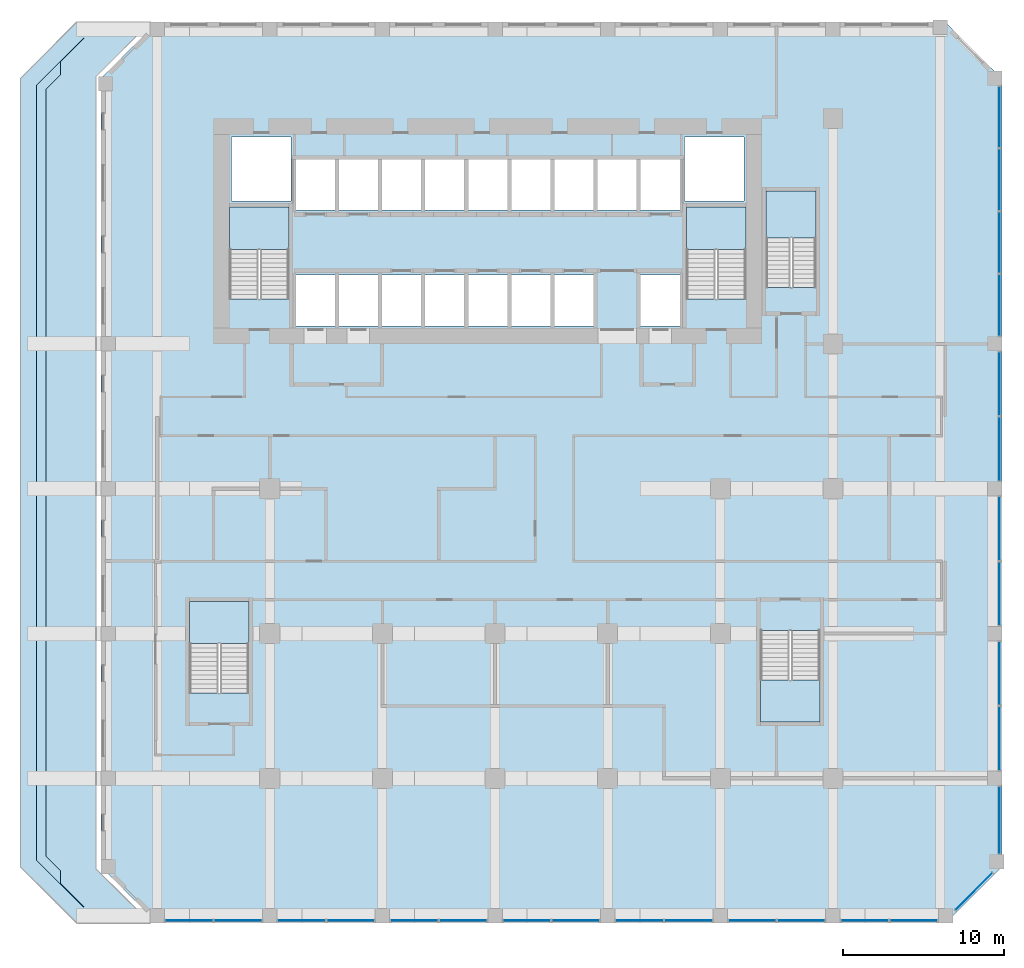
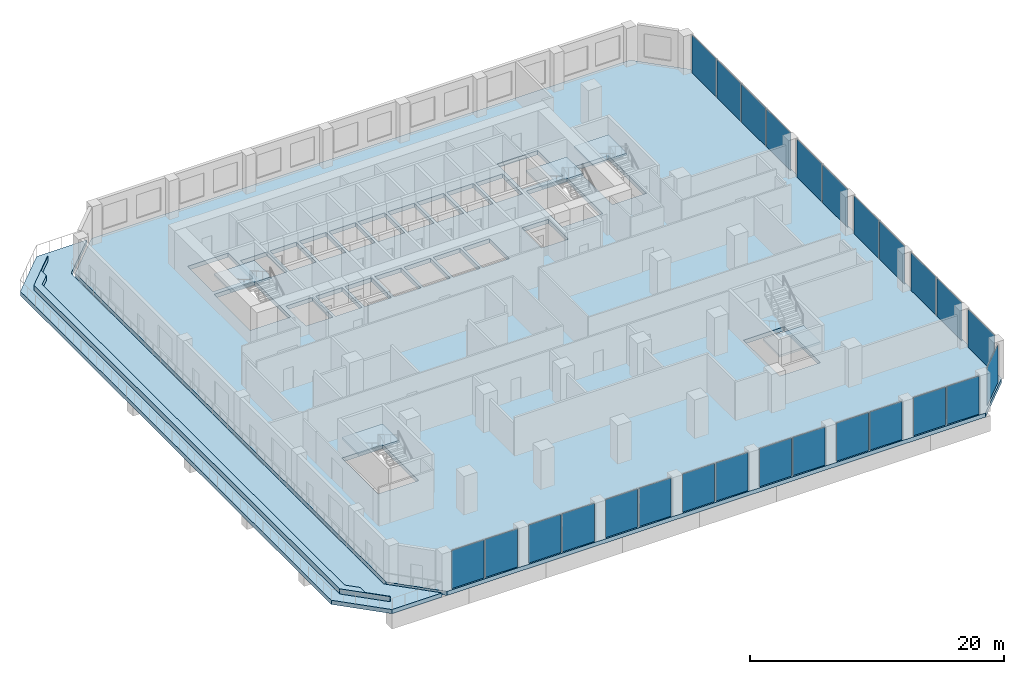
# One storey, part 11 of 20: 26 plates, 8 slabs, 31 elements without a shape of their own.
"""IFC4 building model written with IfcOpenShell, lengths in metres."""

from ifc_helpers import new_model, si_unit, direction, frame, origin, origin_2d, place, context, subcontext, project, spatial, polyline, rectangle, outline, extrude, source, transform, mapped, material, layer, layer_set, type_object, element, aggregate, save


model = new_model("IFC4")

# Units and contexts
model_context = context("Model", 3, precision=1e-05, world=origin(), true_north=direction((0.0, 1.0)))
body_context = subcontext(model_context, "Body", "Model", "MODEL_VIEW")
ifc_project = project(units=[si_unit("LENGTHUNIT", "METRE"), si_unit("AREAUNIT", "SQUARE_METRE"), si_unit("VOLUMEUNIT", "CUBIC_METRE"), si_unit("PLANEANGLEUNIT", "RADIAN"), si_unit("MASSUNIT", "GRAM", prefix="KILO")], contexts=[model_context])

# Site, building, storey
site_placement = place(None, origin())
site = spatial("IfcSite", under=ifc_project, at=site_placement, CompositionType="ELEMENT")
building_placement = place(site_placement, origin())
building = spatial("IfcBuilding", under=site, at=building_placement, Name="Kilnfold Tower and Market Hall", CompositionType="ELEMENT")
storey_placement = place(building_placement, frame((0.0, 0.0, 63.199951171875)))
storey = spatial("IfcBuildingStorey", under=building, at=storey_placement, Name="L14", CompositionType="ELEMENT", Elevation=63.199951171875)

# Slab
ifc_material_1 = material(Name="Concrete C45", Category="concrete")
ifc_layer_1 = layer(ifc_material_1, 0.39990234375)
ifc_layer_set_1 = layer_set([ifc_layer_1], Name="Concrete C45")
slab_type_1 = type_object("IfcSlabType", Name="FLOOR SLAB 400", PredefinedType="FLOOR", material=ifc_layer_set_1)
shared_shape_1 = source(origin(), body_context, "Body", "SweptSolid", [
    extrude(outline(polyline([(-19.5, -28.0), (29.5, -28.0), (33.0, -24.5), (33.0, 24.5), (29.5, 28.0), (-19.5, 28.0), (-23.0, 24.5), (-23.0, -24.5), (-19.5, -28.0)]), holes=[polyline([(-13.800537109375, -13.699462890625), (-17.49951171875, -13.699462890625), (-17.49951171875, -8.00048828125), (-13.800537109375, -8.00048828125), (-13.800537109375, -13.699462890625)]), polyline([(-14.99951171875, 10.800537109375), (-14.99951171875, 16.49951171875), (-11.300537109375, 16.49951171875), (-11.300537109375, 10.800537109375), (-14.99951171875, 10.800537109375)]), polyline([(-14.875, 16.875), (-14.875, 20.875), (-11.175048828125, 20.875), (-11.175048828125, 16.875), (-14.875, 16.875)]), polyline([(-10.885009765625, 9.125), (-10.885009765625, 12.27490234375), (-8.455078125, 12.27490234375), (-8.455078125, 9.125), (-10.885009765625, 9.125)]), polyline([(-8.455078125, 16.324951171875), (-10.885009765625, 16.324951171875), (-10.885009765625, 19.47509765625), (-8.455078125, 19.47509765625), (-8.455078125, 16.324951171875)]), polyline([(-8.205078125, 9.125), (-8.205078125, 12.27490234375), (-5.77490234375, 12.27490234375), (-5.77490234375, 9.125), (-8.205078125, 9.125)]), polyline([(-8.205078125, 16.324951171875), (-8.205078125, 19.47509765625), (-5.77490234375, 19.47509765625), (-5.77490234375, 16.324951171875), (-8.205078125, 16.324951171875)]), polyline([(-3.094970703125, 9.125), (-5.52490234375, 9.125), (-5.52490234375, 12.27490234375), (-3.094970703125, 12.27490234375), (-3.094970703125, 9.125)]), polyline([(-5.52490234375, 16.324951171875), (-5.52490234375, 19.47509765625), (-3.094970703125, 19.47509765625), (-3.094970703125, 16.324951171875), (-5.52490234375, 16.324951171875)]), polyline([(-2.844970703125, 9.125), (-2.844970703125, 12.27490234375), (-0.4150390625, 12.27490234375), (-0.4150390625, 9.125), (-2.844970703125, 9.125)]), polyline([(-0.4150390625, 16.324951171875), (-2.844970703125, 16.324951171875), (-2.844970703125, 19.47509765625), (-0.4150390625, 19.47509765625), (-0.4150390625, 16.324951171875)]), polyline([(-0.1650390625, 9.125), (-0.1650390625, 12.27490234375), (2.264892578125, 12.27490234375), (2.264892578125, 9.125), (-0.1650390625, 9.125)]), polyline([(-0.1650390625, 16.324951171875), (-0.1650390625, 19.47509765625), (2.264892578125, 19.47509765625), (2.264892578125, 16.324951171875), (-0.1650390625, 16.324951171875)]), polyline([(2.514892578125, 9.125), (2.514892578125, 12.27490234375), (4.945068359375, 12.27490234375), (4.945068359375, 9.125), (2.514892578125, 9.125)]), polyline([(2.514892578125, 16.324951171875), (2.514892578125, 19.47509765625), (4.945068359375, 19.47509765625), (4.945068359375, 16.324951171875), (2.514892578125, 16.324951171875)]), polyline([(7.625, 9.125), (5.195068359375, 9.125), (5.195068359375, 12.27490234375), (7.625, 12.27490234375), (7.625, 9.125)]), polyline([(5.195068359375, 16.324951171875), (5.195068359375, 19.47509765625), (7.625, 19.47509765625), (7.625, 16.324951171875), (5.195068359375, 16.324951171875)]), polyline([(10.304931640625, 16.324951171875), (7.875, 16.324951171875), (7.875, 19.47509765625), (10.304931640625, 19.47509765625), (10.304931640625, 16.324951171875)]), polyline([(10.554931640625, 9.125), (10.554931640625, 12.27490234375), (12.985107421875, 12.27490234375), (12.985107421875, 9.125), (10.554931640625, 9.125)]), polyline([(10.554931640625, 16.324951171875), (10.554931640625, 19.47509765625), (12.985107421875, 19.47509765625), (12.985107421875, 16.324951171875), (10.554931640625, 16.324951171875)]), polyline([(13.27490234375, 16.875), (13.27490234375, 20.875), (16.97509765625, 20.875), (16.97509765625, 16.875), (13.27490234375, 16.875)]), polyline([(13.400390625, 10.800537109375), (13.400390625, 16.49951171875), (17.099609375, 16.49951171875), (17.099609375, 10.800537109375), (13.400390625, 10.800537109375)]), polyline([(18.00048828125, -9.800537109375), (21.699462890625, -9.800537109375), (21.699462890625, -15.49951171875), (18.00048828125, -15.49951171875), (18.00048828125, -9.800537109375)]), polyline([(21.449462890625, 11.50048828125), (18.3505859375, 11.50048828125), (18.3505859375, 17.49951171875), (21.449462890625, 17.49951171875), (21.449462890625, 11.50048828125)])]), origin(), (0.0, 0.0, 1.0), 0.400146484375),
])
slab_1_placement = place(storey_placement, frame((0.0, 0.0, -0.400146484375)))
element("IfcSlab", 1, at=slab_1_placement, inside=storey, type_object=slab_type_1, Name="Floor slab L14", PredefinedType="FLOOR", context=body_context, shape_type="MappedRepresentation", body=[
    mapped(shared_shape_1, transform((0.0, 0.0, 0.0))),
])

# Curtain wall, plate
ifc_material_2 = material(Name="Aluminium and double glazing", Category="aluminium")
curtain_wall_type = type_object("IfcCurtainWallType", Name="CW OF1 VALLEY GLAZING", PredefinedType="NOTDEFINED", material=ifc_material_2)
curtain_wall_1_placement = place(storey_placement, origin())
curtain_wall_1 = element("IfcCurtainWall", 2, at=curtain_wall_1_placement, inside=storey, type_object=curtain_wall_type, Name="Curtain wall CW1 L14 S", PredefinedType="NOTDEFINED")
ifc_material_3 = material(Name="Double glazed unit")
ifc_layer_2 = layer(ifc_material_3, 0.031982421875)
ifc_layer_set_2 = layer_set([ifc_layer_2], Name="Double glazed unit")
plate_type = type_object("IfcPlateType", Name="GLAZING PANEL 32", PredefinedType="CURTAIN_PANEL", material=ifc_layer_set_2)
shared_shape_2 = source(origin(), body_context, "Body", "SweptSolid", [
    extrude(rectangle(XDim=2.929931640625, YDim=0.031982421875, at=origin_2d()), origin(), (0.0, 0.0, 1.0), 3.659912109375),
])
plate_1_placement = place(storey_placement, frame((-17.52490234375, -27.85009765625, 0.0), z_axis=(0.0, 0.0, 1.0), x_axis=(1.0, 0.0, 0.0)))
plate_1 = element("IfcPlate", 3, at=plate_1_placement, type_object=plate_type, Name="CW1 panel 1.1", PredefinedType="CURTAIN_PANEL", context=body_context, shape_type="MappedRepresentation", body=[
    mapped(shared_shape_2, transform((0.0, 0.0, 0.0))),
])
aggregate(curtain_wall_1, [plate_1])

curtain_wall_2_placement = place(storey_placement, origin())
curtain_wall_2 = element("IfcCurtainWall", 4, at=curtain_wall_2_placement, inside=storey, type_object=curtain_wall_type, Name="Curtain wall CW1 L14 S", PredefinedType="NOTDEFINED")
plate_2_placement = place(storey_placement, frame((-14.47509765625, -27.85009765625, 0.0), z_axis=(0.0, 0.0, 1.0), x_axis=(1.0, 0.0, 0.0)))
plate_2 = element("IfcPlate", 5, at=plate_2_placement, type_object=plate_type, Name="CW1 panel 1.1", PredefinedType="CURTAIN_PANEL", context=body_context, shape_type="MappedRepresentation", body=[
    mapped(shared_shape_2, transform((0.0, 0.0, 0.0))),
])
aggregate(curtain_wall_2, [plate_2])

curtain_wall_3_placement = place(storey_placement, origin())
curtain_wall_3 = element("IfcCurtainWall", 6, at=curtain_wall_3_placement, inside=storey, type_object=curtain_wall_type, Name="Curtain wall CW1 L14 S", PredefinedType="NOTDEFINED")
plate_3_placement = place(storey_placement, frame((-10.52490234375, -27.85009765625, 0.0), z_axis=(0.0, 0.0, 1.0), x_axis=(1.0, 0.0, 0.0)))
plate_3 = element("IfcPlate", 7, at=plate_3_placement, type_object=plate_type, Name="CW1 panel 1.1", PredefinedType="CURTAIN_PANEL", context=body_context, shape_type="MappedRepresentation", body=[
    mapped(shared_shape_2, transform((0.0, 0.0, 0.0))),
])
aggregate(curtain_wall_3, [plate_3])

curtain_wall_4_placement = place(storey_placement, origin())
curtain_wall_4 = element("IfcCurtainWall", 8, at=curtain_wall_4_placement, inside=storey, type_object=curtain_wall_type, Name="Curtain wall CW1 L14 S", PredefinedType="NOTDEFINED")
plate_4_placement = place(storey_placement, frame((-7.47509765625, -27.85009765625, 0.0), z_axis=(0.0, 0.0, 1.0), x_axis=(1.0, 0.0, 0.0)))
plate_4 = element("IfcPlate", 9, at=plate_4_placement, type_object=plate_type, Name="CW1 panel 1.1", PredefinedType="CURTAIN_PANEL", context=body_context, shape_type="MappedRepresentation", body=[
    mapped(shared_shape_2, transform((0.0, 0.0, 0.0))),
])
aggregate(curtain_wall_4, [plate_4])

curtain_wall_5_placement = place(storey_placement, origin())
curtain_wall_5 = element("IfcCurtainWall", 10, at=curtain_wall_5_placement, inside=storey, type_object=curtain_wall_type, Name="Curtain wall CW1 L14 S", PredefinedType="NOTDEFINED")
plate_5_placement = place(storey_placement, frame((-3.52490234375, -27.85009765625, 0.0), z_axis=(0.0, 0.0, 1.0), x_axis=(1.0, 0.0, 0.0)))
plate_5 = element("IfcPlate", 11, at=plate_5_placement, type_object=plate_type, Name="CW1 panel 1.1", PredefinedType="CURTAIN_PANEL", context=body_context, shape_type="MappedRepresentation", body=[
    mapped(shared_shape_2, transform((0.0, 0.0, 0.0))),
])
aggregate(curtain_wall_5, [plate_5])

curtain_wall_6_placement = place(storey_placement, origin())
curtain_wall_6 = element("IfcCurtainWall", 12, at=curtain_wall_6_placement, inside=storey, type_object=curtain_wall_type, Name="Curtain wall CW1 L14 S", PredefinedType="NOTDEFINED")
plate_6_placement = place(storey_placement, frame((-0.47509765625, -27.85009765625, 0.0), z_axis=(0.0, 0.0, 1.0), x_axis=(1.0, 0.0, 0.0)))
plate_6 = element("IfcPlate", 13, at=plate_6_placement, type_object=plate_type, Name="CW1 panel 1.1", PredefinedType="CURTAIN_PANEL", context=body_context, shape_type="MappedRepresentation", body=[
    mapped(shared_shape_2, transform((0.0, 0.0, 0.0))),
])
aggregate(curtain_wall_6, [plate_6])

curtain_wall_7_placement = place(storey_placement, origin())
curtain_wall_7 = element("IfcCurtainWall", 14, at=curtain_wall_7_placement, inside=storey, type_object=curtain_wall_type, Name="Curtain wall CW1 L14 S", PredefinedType="NOTDEFINED")
plate_7_placement = place(storey_placement, frame((3.47509765625, -27.85009765625, 0.0), z_axis=(0.0, 0.0, 1.0), x_axis=(1.0, 0.0, 0.0)))
plate_7 = element("IfcPlate", 15, at=plate_7_placement, type_object=plate_type, Name="CW1 panel 1.1", PredefinedType="CURTAIN_PANEL", context=body_context, shape_type="MappedRepresentation", body=[
    mapped(shared_shape_2, transform((0.0, 0.0, 0.0))),
])
aggregate(curtain_wall_7, [plate_7])

curtain_wall_8_placement = place(storey_placement, origin())
curtain_wall_8 = element("IfcCurtainWall", 16, at=curtain_wall_8_placement, inside=storey, type_object=curtain_wall_type, Name="Curtain wall CW1 L14 S", PredefinedType="NOTDEFINED")
plate_8_placement = place(storey_placement, frame((6.52490234375, -27.85009765625, 0.0), z_axis=(0.0, 0.0, 1.0), x_axis=(1.0, 0.0, 0.0)))
plate_8 = element("IfcPlate", 17, at=plate_8_placement, type_object=plate_type, Name="CW1 panel 1.1", PredefinedType="CURTAIN_PANEL", context=body_context, shape_type="MappedRepresentation", body=[
    mapped(shared_shape_2, transform((0.0, 0.0, 0.0))),
])
aggregate(curtain_wall_8, [plate_8])

curtain_wall_9_placement = place(storey_placement, origin())
curtain_wall_9 = element("IfcCurtainWall", 18, at=curtain_wall_9_placement, inside=storey, type_object=curtain_wall_type, Name="Curtain wall CW1 L14 S", PredefinedType="NOTDEFINED")
plate_9_placement = place(storey_placement, frame((10.47509765625, -27.85009765625, 0.0), z_axis=(0.0, 0.0, 1.0), x_axis=(1.0, 0.0, 0.0)))
plate_9 = element("IfcPlate", 19, at=plate_9_placement, type_object=plate_type, Name="CW1 panel 1.1", PredefinedType="CURTAIN_PANEL", context=body_context, shape_type="MappedRepresentation", body=[
    mapped(shared_shape_2, transform((0.0, 0.0, 0.0))),
])
aggregate(curtain_wall_9, [plate_9])

curtain_wall_10_placement = place(storey_placement, origin())
curtain_wall_10 = element("IfcCurtainWall", 20, at=curtain_wall_10_placement, inside=storey, type_object=curtain_wall_type, Name="Curtain wall CW1 L14 S", PredefinedType="NOTDEFINED")
plate_10_placement = place(storey_placement, frame((13.52490234375, -27.85009765625, 0.0), z_axis=(0.0, 0.0, 1.0), x_axis=(1.0, 0.0, 0.0)))
plate_10 = element("IfcPlate", 21, at=plate_10_placement, type_object=plate_type, Name="CW1 panel 1.1", PredefinedType="CURTAIN_PANEL", context=body_context, shape_type="MappedRepresentation", body=[
    mapped(shared_shape_2, transform((0.0, 0.0, 0.0))),
])
aggregate(curtain_wall_10, [plate_10])

curtain_wall_11_placement = place(storey_placement, origin())
curtain_wall_11 = element("IfcCurtainWall", 22, at=curtain_wall_11_placement, inside=storey, type_object=curtain_wall_type, Name="Curtain wall CW1 L14 S", PredefinedType="NOTDEFINED")
plate_11_placement = place(storey_placement, frame((17.47509765625, -27.85009765625, 0.0), z_axis=(0.0, 0.0, 1.0), x_axis=(1.0, 0.0, 0.0)))
plate_11 = element("IfcPlate", 23, at=plate_11_placement, type_object=plate_type, Name="CW1 panel 1.1", PredefinedType="CURTAIN_PANEL", context=body_context, shape_type="MappedRepresentation", body=[
    mapped(shared_shape_2, transform((0.0, 0.0, 0.0))),
])
aggregate(curtain_wall_11, [plate_11])

curtain_wall_12_placement = place(storey_placement, origin())
curtain_wall_12 = element("IfcCurtainWall", 24, at=curtain_wall_12_placement, inside=storey, type_object=curtain_wall_type, Name="Curtain wall CW1 L14 S", PredefinedType="NOTDEFINED")
plate_12_placement = place(storey_placement, frame((20.52490234375, -27.85009765625, 0.0), z_axis=(0.0, 0.0, 1.0), x_axis=(1.0, 0.0, 0.0)))
plate_12 = element("IfcPlate", 25, at=plate_12_placement, type_object=plate_type, Name="CW1 panel 1.1", PredefinedType="CURTAIN_PANEL", context=body_context, shape_type="MappedRepresentation", body=[
    mapped(shared_shape_2, transform((0.0, 0.0, 0.0))),
])
aggregate(curtain_wall_12, [plate_12])

curtain_wall_13_placement = place(storey_placement, origin())
curtain_wall_13 = element("IfcCurtainWall", 26, at=curtain_wall_13_placement, inside=storey, type_object=curtain_wall_type, Name="Curtain wall CW1 L14 S", PredefinedType="NOTDEFINED")
plate_13_placement = place(storey_placement, frame((24.47509765625, -27.85009765625, 0.0), z_axis=(0.0, 0.0, 1.0), x_axis=(1.0, 0.0, 0.0)))
plate_13 = element("IfcPlate", 27, at=plate_13_placement, type_object=plate_type, Name="CW1 panel 1.1", PredefinedType="CURTAIN_PANEL", context=body_context, shape_type="MappedRepresentation", body=[
    mapped(shared_shape_2, transform((0.0, 0.0, 0.0))),
])
aggregate(curtain_wall_13, [plate_13])

curtain_wall_14_placement = place(storey_placement, origin())
curtain_wall_14 = element("IfcCurtainWall", 28, at=curtain_wall_14_placement, inside=storey, type_object=curtain_wall_type, Name="Curtain wall CW1 L14 S", PredefinedType="NOTDEFINED")
plate_14_placement = place(storey_placement, frame((27.52490234375, -27.85009765625, 0.0), z_axis=(0.0, 0.0, 1.0), x_axis=(1.0, 0.0, 0.0)))
plate_14 = element("IfcPlate", 29, at=plate_14_placement, type_object=plate_type, Name="CW1 panel 1.1", PredefinedType="CURTAIN_PANEL", context=body_context, shape_type="MappedRepresentation", body=[
    mapped(shared_shape_2, transform((0.0, 0.0, 0.0))),
])
aggregate(curtain_wall_14, [plate_14])

curtain_wall_15_placement = place(storey_placement, origin())
curtain_wall_15 = element("IfcCurtainWall", 30, at=curtain_wall_15_placement, inside=storey, type_object=curtain_wall_type, Name="Curtain wall CW1 L14 E", PredefinedType="NOTDEFINED")
shared_shape_3 = source(origin(), body_context, "Body", "SweptSolid", [
    extrude(rectangle(XDim=3.929931640625, YDim=0.031982421875, at=origin_2d()), origin(), (0.0, 0.0, 1.0), 3.659912109375),
])
plate_15_placement = place(storey_placement, frame((32.85009765625, -16.52490234375, 0.0), z_axis=(0.0, 0.0, 1.0), x_axis=(0.0, 1.0, 0.0)))
plate_15 = element("IfcPlate", 31, at=plate_15_placement, type_object=plate_type, Name="CW1 panel 1.1", PredefinedType="CURTAIN_PANEL", context=body_context, shape_type="MappedRepresentation", body=[
    mapped(shared_shape_3, transform((0.0, 0.0, 0.0))),
])
aggregate(curtain_wall_15, [plate_15])

curtain_wall_16_placement = place(storey_placement, origin())
curtain_wall_16 = element("IfcCurtainWall", 32, at=curtain_wall_16_placement, inside=storey, type_object=curtain_wall_type, Name="Curtain wall CW1 L14 E", PredefinedType="NOTDEFINED")
plate_16_placement = place(storey_placement, frame((32.85009765625, -12.47509765625, 0.0), z_axis=(0.0, 0.0, 1.0), x_axis=(0.0, 1.0, 0.0)))
plate_16 = element("IfcPlate", 33, at=plate_16_placement, type_object=plate_type, Name="CW1 panel 1.1", PredefinedType="CURTAIN_PANEL", context=body_context, shape_type="MappedRepresentation", body=[
    mapped(shared_shape_3, transform((0.0, 0.0, 0.0))),
])
aggregate(curtain_wall_16, [plate_16])

curtain_wall_17_placement = place(storey_placement, origin())
curtain_wall_17 = element("IfcCurtainWall", 34, at=curtain_wall_17_placement, inside=storey, type_object=curtain_wall_type, Name="Curtain wall CW1 L14 E", PredefinedType="NOTDEFINED")
plate_17_placement = place(storey_placement, frame((32.85009765625, -7.52490234375, 0.0), z_axis=(0.0, 0.0, 1.0), x_axis=(0.0, 1.0, 0.0)))
plate_17 = element("IfcPlate", 35, at=plate_17_placement, type_object=plate_type, Name="CW1 panel 1.1", PredefinedType="CURTAIN_PANEL", context=body_context, shape_type="MappedRepresentation", body=[
    mapped(shared_shape_3, transform((0.0, 0.0, 0.0))),
])
aggregate(curtain_wall_17, [plate_17])

curtain_wall_18_placement = place(storey_placement, origin())
curtain_wall_18 = element("IfcCurtainWall", 36, at=curtain_wall_18_placement, inside=storey, type_object=curtain_wall_type, Name="Curtain wall CW1 L14 E", PredefinedType="NOTDEFINED")
plate_18_placement = place(storey_placement, frame((32.85009765625, -3.47509765625, 0.0), z_axis=(0.0, 0.0, 1.0), x_axis=(0.0, 1.0, 0.0)))
plate_18 = element("IfcPlate", 37, at=plate_18_placement, type_object=plate_type, Name="CW1 panel 1.1", PredefinedType="CURTAIN_PANEL", context=body_context, shape_type="MappedRepresentation", body=[
    mapped(shared_shape_3, transform((0.0, 0.0, 0.0))),
])
aggregate(curtain_wall_18, [plate_18])

curtain_wall_19_placement = place(storey_placement, origin())
curtain_wall_19 = element("IfcCurtainWall", 38, at=curtain_wall_19_placement, inside=storey, type_object=curtain_wall_type, Name="Curtain wall CW1 L14 E", PredefinedType="NOTDEFINED")
plate_19_placement = place(storey_placement, frame((32.85009765625, 1.47509765625, 0.0), z_axis=(0.0, 0.0, 1.0), x_axis=(0.0, 1.0, 0.0)))
plate_19 = element("IfcPlate", 39, at=plate_19_placement, type_object=plate_type, Name="CW1 panel 1.1", PredefinedType="CURTAIN_PANEL", context=body_context, shape_type="MappedRepresentation", body=[
    mapped(shared_shape_3, transform((0.0, 0.0, 0.0))),
])
aggregate(curtain_wall_19, [plate_19])

curtain_wall_20_placement = place(storey_placement, origin())
curtain_wall_20 = element("IfcCurtainWall", 40, at=curtain_wall_20_placement, inside=storey, type_object=curtain_wall_type, Name="Curtain wall CW1 L14 E", PredefinedType="NOTDEFINED")
plate_20_placement = place(storey_placement, frame((32.85009765625, 5.52490234375, 0.0), z_axis=(0.0, 0.0, 1.0), x_axis=(0.0, 1.0, 0.0)))
plate_20 = element("IfcPlate", 41, at=plate_20_placement, type_object=plate_type, Name="CW1 panel 1.1", PredefinedType="CURTAIN_PANEL", context=body_context, shape_type="MappedRepresentation", body=[
    mapped(shared_shape_3, transform((0.0, 0.0, 0.0))),
])
aggregate(curtain_wall_20, [plate_20])

curtain_wall_21_placement = place(storey_placement, origin())
curtain_wall_21 = element("IfcCurtainWall", 42, at=curtain_wall_21_placement, inside=storey, type_object=curtain_wall_type, Name="Curtain wall CW1 L14 E", PredefinedType="NOTDEFINED")
shared_shape_4 = source(origin(), body_context, "Body", "SweptSolid", [
    extrude(rectangle(XDim=3.780029296875, YDim=0.031982421875, at=origin_2d()), origin(), (0.0, 0.0, 1.0), 3.659912109375),
])
plate_21_placement = place(storey_placement, frame((32.85009765625, 10.39990234375, 0.0), z_axis=(0.0, 0.0, 1.0), x_axis=(0.0, 1.0, 0.0)))
plate_21 = element("IfcPlate", 43, at=plate_21_placement, type_object=plate_type, Name="CW1 panel 1.1", PredefinedType="CURTAIN_PANEL", context=body_context, shape_type="MappedRepresentation", body=[
    mapped(shared_shape_4, transform((0.0, 0.0, 0.0))),
])
aggregate(curtain_wall_21, [plate_21])

curtain_wall_22_placement = place(storey_placement, origin())
curtain_wall_22 = element("IfcCurtainWall", 44, at=curtain_wall_22_placement, inside=storey, type_object=curtain_wall_type, Name="Curtain wall CW1 L14 E", PredefinedType="NOTDEFINED")
plate_22_placement = place(storey_placement, frame((32.85009765625, 14.300048828125, 0.0), z_axis=(0.0, 0.0, 1.0), x_axis=(0.0, 1.0, 0.0)))
plate_22 = element("IfcPlate", 45, at=plate_22_placement, type_object=plate_type, Name="CW1 panel 1.1", PredefinedType="CURTAIN_PANEL", context=body_context, shape_type="MappedRepresentation", body=[
    mapped(shared_shape_4, transform((0.0, 0.0, 0.0))),
])
aggregate(curtain_wall_22, [plate_22])

curtain_wall_23_placement = place(storey_placement, origin())
curtain_wall_23 = element("IfcCurtainWall", 46, at=curtain_wall_23_placement, inside=storey, type_object=curtain_wall_type, Name="Curtain wall CW1 L14 E", PredefinedType="NOTDEFINED")
plate_23_placement = place(storey_placement, frame((32.85009765625, 18.199951171875, 0.0), z_axis=(0.0, 0.0, 1.0), x_axis=(0.0, 1.0, 0.0)))
plate_23 = element("IfcPlate", 47, at=plate_23_placement, type_object=plate_type, Name="CW1 panel 1.1", PredefinedType="CURTAIN_PANEL", context=body_context, shape_type="MappedRepresentation", body=[
    mapped(shared_shape_4, transform((0.0, 0.0, 0.0))),
])
aggregate(curtain_wall_23, [plate_23])

curtain_wall_24_placement = place(storey_placement, origin())
curtain_wall_24 = element("IfcCurtainWall", 48, at=curtain_wall_24_placement, inside=storey, type_object=curtain_wall_type, Name="Curtain wall CW1 L14 E", PredefinedType="NOTDEFINED")
plate_24_placement = place(storey_placement, frame((32.85009765625, 22.10009765625, 0.0), z_axis=(0.0, 0.0, 1.0), x_axis=(0.0, 1.0, 0.0)))
plate_24 = element("IfcPlate", 49, at=plate_24_placement, type_object=plate_type, Name="CW1 panel 1.1", PredefinedType="CURTAIN_PANEL", context=body_context, shape_type="MappedRepresentation", body=[
    mapped(shared_shape_4, transform((0.0, 0.0, 0.0))),
])
aggregate(curtain_wall_24, [plate_24])

curtain_wall_25_placement = place(storey_placement, origin())
curtain_wall_25 = element("IfcCurtainWall", 50, at=curtain_wall_25_placement, inside=storey, type_object=curtain_wall_type, Name="Curtain wall CW1 L14 E", PredefinedType="NOTDEFINED")
shared_shape_5 = source(origin(), body_context, "Body", "SweptSolid", [
    extrude(rectangle(XDim=4.161865234375, YDim=0.031982421875, at=origin_2d()), origin(), (0.0, 0.0, 1.0), 3.659912109375),
])
plate_25_placement = place(storey_placement, frame((32.85009765625, -21.5908203125, 0.0), z_axis=(0.0, 0.0, 1.0), x_axis=(0.0, 1.0, 0.0)))
plate_25 = element("IfcPlate", 51, at=plate_25_placement, type_object=plate_type, Name="CW1 panel 1.1", PredefinedType="CURTAIN_PANEL", context=body_context, shape_type="MappedRepresentation", body=[
    mapped(shared_shape_5, transform((0.0, 0.0, 0.0))),
])
aggregate(curtain_wall_25, [plate_25])

curtain_wall_26_placement = place(storey_placement, origin())
curtain_wall_26 = element("IfcCurtainWall", 52, at=curtain_wall_26_placement, inside=storey, type_object=curtain_wall_type, Name="Curtain wall CW1 L14 SE", PredefinedType="NOTDEFINED")
shared_shape_6 = source(origin(), body_context, "Body", "SweptSolid", [
    extrude(rectangle(XDim=3.23876953125, YDim=0.031982421875, at=origin_2d()), origin(), (0.0, 0.0, 1.0), 3.659912109375),
])
plate_26_placement = place(storey_placement, frame((31.25634765625, -26.031494140625, 0.0), z_axis=(0.0, 0.0, 1.0), x_axis=(0.707121667181, 0.707091894879, 0.0)))
plate_26 = element("IfcPlate", 53, at=plate_26_placement, type_object=plate_type, Name="CW1 panel 1.1", PredefinedType="CURTAIN_PANEL", context=body_context, shape_type="MappedRepresentation", body=[
    mapped(shared_shape_6, transform((0.0, 0.0, 0.0))),
])
aggregate(curtain_wall_26, [plate_26])

# Slabs
ifc_material_4 = material(Name="Concrete C40/50", Category="concrete")
ifc_layer_3 = layer(ifc_material_4, 0.39990234375)
ifc_layer_set_3 = layer_set([ifc_layer_3], Name="Concrete C40/50")
slab_type_2 = type_object("IfcSlabType", Name="TOWER TERRACE SLAB 400", PredefinedType="ROOF", material=ifc_layer_set_3)
shared_shape_7 = source(origin(), body_context, "Body", "SweptSolid", [
    extrude(outline(polyline([(-24.5, -28.0), (-28.0, -24.5), (-28.0, 24.5), (-24.5, 28.0), (-19.92431640625, 28.0), (-23.300048828125, 24.624267578125), (-23.300048828125, -24.624267578125), (-19.92431640625, -28.0), (-24.5, -28.0)])), origin(), (0.0, 0.0, 1.0), 0.39990234375),
])
slab_2_placement = place(storey_placement, frame((0.0, 0.0, -0.39990234375)))
element("IfcSlab", 54, at=slab_2_placement, inside=storey, type_object=slab_type_2, Name="Terrace slab L14 1", PredefinedType="ROOF", context=body_context, shape_type="MappedRepresentation", body=[
    mapped(shared_shape_7, transform((0.0, 0.0, 0.0))),
])
ifc_material_5 = material(Name="Concrete C40/50", Category="concrete")
ifc_layer_4 = layer(ifc_material_5, 0.5)
ifc_layer_set_4 = layer_set([ifc_layer_4], Name="Concrete C40/50")
slab_type_3 = type_object("IfcSlabType", Name="PLANTER BED 500", PredefinedType="ROOF", material=ifc_layer_set_4)
shared_shape_8 = source(origin(), body_context, "Body", "SweptSolid", [
    extrude(outline(polyline([(-27.0, 24.085693359375), (-24.085693359375, 27.0), (-24.035400390625, 27.0), (-25.5, 25.535400390625), (-25.5, 24.7373046875), (-26.39990234375, 23.83740234375), (-26.39990234375, -23.83740234375), (-25.5, -24.7373046875), (-25.5, -25.535400390625), (-24.035400390625, -27.0), (-24.085693359375, -27.0), (-27.0, -24.085693359375), (-27.0, 24.085693359375)])), origin(), (0.0, 0.0, 1.0), 0.5),
])
slab_3_placement = place(storey_placement, origin())
element("IfcSlab", 55, at=slab_3_placement, inside=storey, type_object=slab_type_3, Name="Planter bed L14 1.1", PredefinedType="ROOF", context=body_context, shape_type="MappedRepresentation", body=[
    mapped(shared_shape_8, transform((0.0, 0.0, 0.0))),
])

# Stair, slab
ifc_material_6 = material(Name="Concrete C40/50", Category="concrete")
stair_type_1 = type_object("IfcStairType", Name="CORE STAIR 1800", PredefinedType="HALF_TURN_STAIR", material=ifc_material_6)
stair_1_placement = place(storey_placement, origin())
stair_1 = element("IfcStair", 56, at=stair_1_placement, inside=storey, type_object=stair_type_1, Name="L14 ST1", PredefinedType="HALF_TURN_STAIR")
ifc_material_7 = material(Name="Concrete C40/50", Category="concrete")
ifc_layer_5 = layer(ifc_material_7, 0.199951171875)
ifc_layer_set_5 = layer_set([ifc_layer_5], Name="Concrete C40/50")
slab_type_4 = type_object("IfcSlabType", Name="CORE STAIR LANDING 200", PredefinedType="LANDING", material=ifc_layer_set_5)
shared_shape_9 = source(origin(), body_context, "Body", "SweptSolid", [
    extrude(outline(polyline([(-11.300048828125, 13.8798828125), (-11.300048828125, 16.5), (-15.0, 16.5), (-15.0, 13.8798828125), (-11.300048828125, 13.8798828125)])), origin(), (0.0, 0.0, 1.0), 0.199951171875),
])
slab_4_placement = place(storey_placement, frame((0.0, 0.0, 1.800048828125)))
slab_4 = element("IfcSlab", 57, at=slab_4_placement, type_object=slab_type_4, Name="ST1 landing 1", PredefinedType="LANDING", context=body_context, shape_type="MappedRepresentation", body=[
    mapped(shared_shape_9, transform((0.0, 0.0, 0.0))),
])
aggregate(stair_1, [slab_4])

stair_2_placement = place(storey_placement, origin())
stair_2 = element("IfcStair", 58, at=stair_2_placement, inside=storey, type_object=stair_type_1, Name="L14 ST2", PredefinedType="HALF_TURN_STAIR")
shared_shape_10 = source(origin(), body_context, "Body", "SweptSolid", [
    extrude(outline(polyline([(17.10009765625, 13.8798828125), (17.10009765625, 16.5), (13.39990234375, 16.5), (13.39990234375, 13.8798828125), (17.10009765625, 13.8798828125)])), origin(), (0.0, 0.0, 1.0), 0.199951171875),
])
slab_5_placement = place(storey_placement, frame((0.0, 0.0, 1.800048828125)))
slab_5 = element("IfcSlab", 59, at=slab_5_placement, type_object=slab_type_4, Name="ST2 landing 1", PredefinedType="LANDING", context=body_context, shape_type="MappedRepresentation", body=[
    mapped(shared_shape_10, transform((0.0, 0.0, 0.0))),
])
aggregate(stair_2, [slab_5])

stair_3_placement = place(storey_placement, origin())
stair_3 = element("IfcStair", 60, at=stair_3_placement, inside=storey, type_object=stair_type_1, Name="L14 ST3", PredefinedType="HALF_TURN_STAIR")
shared_shape_11 = source(origin(), body_context, "Body", "SweptSolid", [
    extrude(outline(polyline([(-13.800048828125, -10.6201171875), (-13.800048828125, -8.0), (-17.5, -8.0), (-17.5, -10.6201171875), (-13.800048828125, -10.6201171875)])), origin(), (0.0, 0.0, 1.0), 0.199951171875),
])
slab_6_placement = place(storey_placement, frame((0.0, 0.0, 1.800048828125)))
slab_6 = element("IfcSlab", 61, at=slab_6_placement, type_object=slab_type_4, Name="ST3 landing 1", PredefinedType="LANDING", context=body_context, shape_type="MappedRepresentation", body=[
    mapped(shared_shape_11, transform((0.0, 0.0, 0.0))),
])
aggregate(stair_3, [slab_6])

stair_4_placement = place(storey_placement, origin())
stair_4 = element("IfcStair", 62, at=stair_4_placement, inside=storey, type_object=stair_type_1, Name="L14 ST4", PredefinedType="HALF_TURN_STAIR")
shared_shape_12 = source(origin(), body_context, "Body", "SweptSolid", [
    extrude(outline(polyline([(18.0, -12.8798828125), (18.0, -15.5), (21.699951171875, -15.5), (21.699951171875, -12.8798828125), (18.0, -12.8798828125)])), origin(), (0.0, 0.0, 1.0), 0.199951171875),
])
slab_7_placement = place(storey_placement, frame((0.0, 0.0, 1.800048828125)))
slab_7 = element("IfcSlab", 63, at=slab_7_placement, type_object=slab_type_4, Name="ST4 landing 1", PredefinedType="LANDING", context=body_context, shape_type="MappedRepresentation", body=[
    mapped(shared_shape_12, transform((0.0, 0.0, 0.0))),
])
aggregate(stair_4, [slab_7])

ifc_material_8 = material(Name="Concrete C40/50", Category="concrete")
stair_type_2 = type_object("IfcStairType", Name="CORE STAIR 1500", PredefinedType="HALF_TURN_STAIR", material=ifc_material_8)
stair_5_placement = place(storey_placement, origin())
stair_5 = element("IfcStair", 64, at=stair_5_placement, inside=storey, type_object=stair_type_2, Name="L14 ST5", PredefinedType="HALF_TURN_STAIR")
shared_shape_13 = source(origin(), body_context, "Body", "SweptSolid", [
    extrude(outline(polyline([(21.449951171875, 14.580078125), (21.449951171875, 17.5), (18.35009765625, 17.5), (18.35009765625, 14.580078125), (21.449951171875, 14.580078125)])), origin(), (0.0, 0.0, 1.0), 0.199951171875),
])
slab_8_placement = place(storey_placement, frame((0.0, 0.0, 1.800048828125)))
slab_8 = element("IfcSlab", 65, at=slab_8_placement, type_object=slab_type_4, Name="ST5 landing 1", PredefinedType="LANDING", context=body_context, shape_type="MappedRepresentation", body=[
    mapped(shared_shape_13, transform((0.0, 0.0, 0.0))),
])
aggregate(stair_5, [slab_8])

save(model, "model.ifc")
